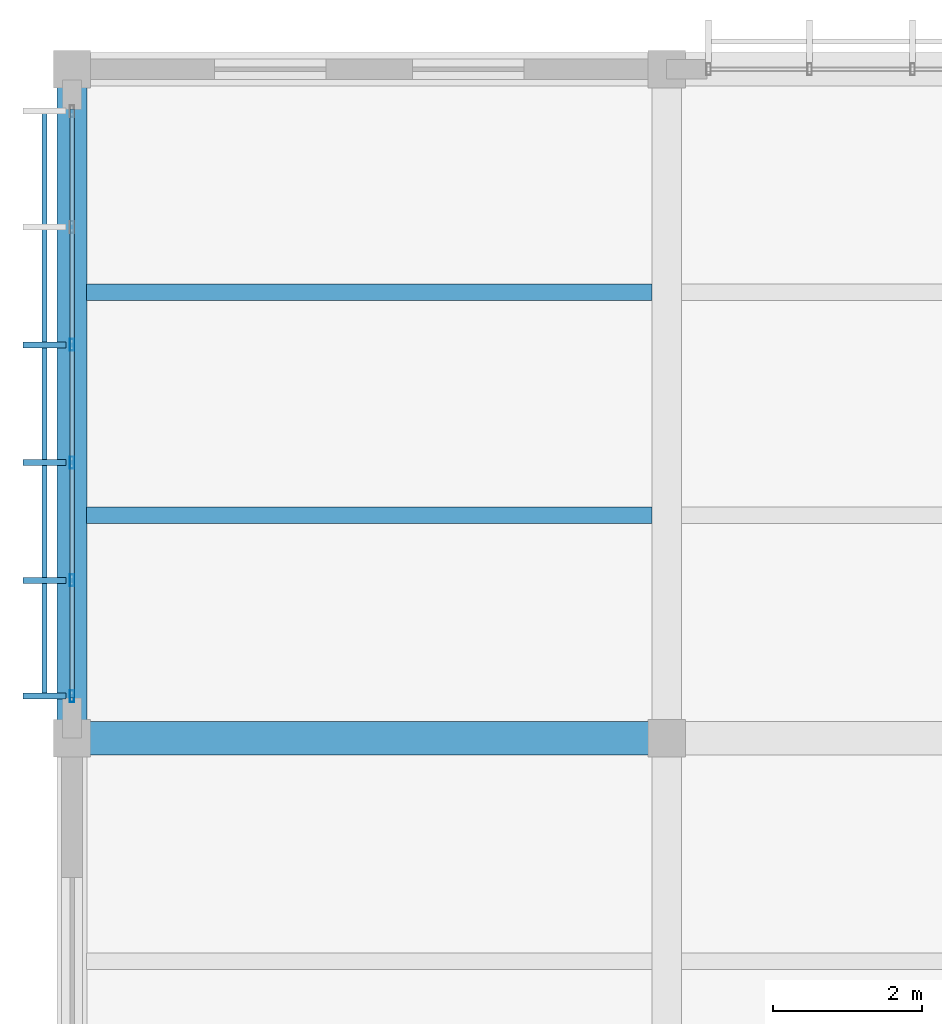
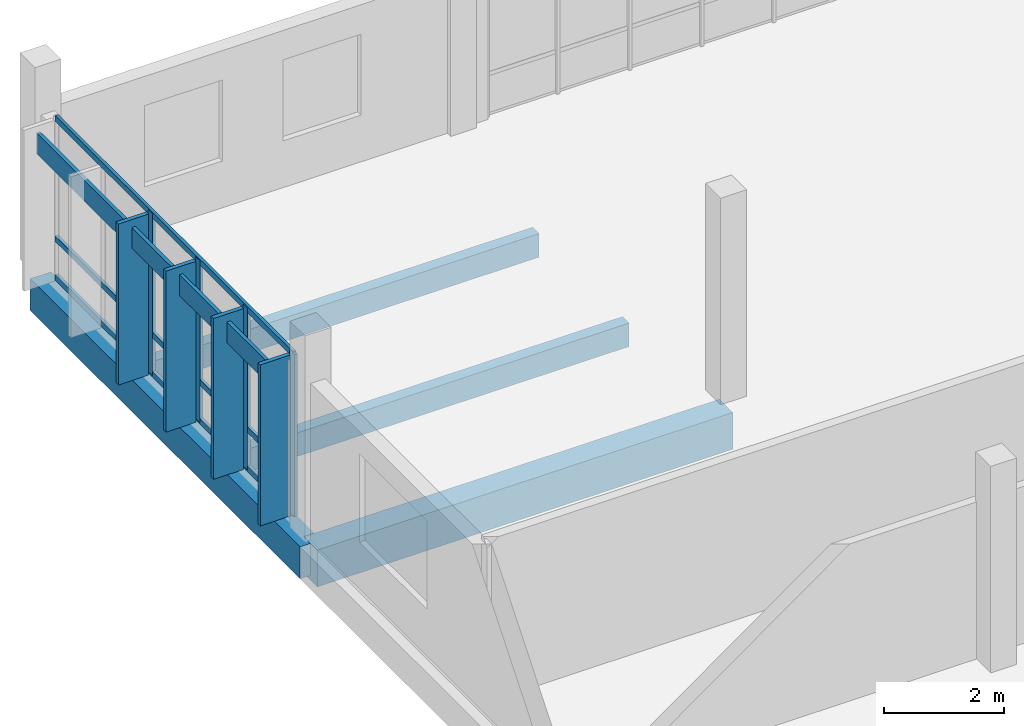
# One storey, part 37 of 107: 12 members, 4 beams, 1 element without a shape of its own.
"""IFC4 building model written with IfcOpenShell, lengths in metres."""

import ifcopenshell
import ifcopenshell.guid

model = None  # the IFC model being written
_history = None  # IfcOwnerHistory: only IFC2X3 demands one
_inside = {}  # id of a spatial element -> (the spatial element, [elements in it])
_under = {}  # id of a project, library or spatial element -> (it, [spatial elements below it])
_declared = {}  # id of a project -> (the project, [libraries it declares])
_typed = {}  # id of a type object -> (the type object, [elements of that type])
_made_of = {}  # id of a material, layer set ... -> (it, [elements and type objects made of it])


def new_model(schema):
    """Start an empty IFC model of exactly this schema.

    Asked for "IFC4X3", IfcOpenShell would pick the latest addendum, in which some entities
    have other attributes; the version numbers below select the first issue.
    IFC2X3 requires an IfcOwnerHistory on every rooted entity: one is made here for all.
    """
    global model, _history
    if schema == "IFC4X3":
        model = ifcopenshell.file(schema_version=(4, 3, 0, 0))
    else:
        model = ifcopenshell.file(schema=schema)
    _inside.clear()
    _under.clear()
    _declared.clear()
    _typed.clear()
    _made_of.clear()
    _history = None
    if model.schema == "IFC2X3":
        org = make("IfcOrganization", Name="unknown")
        user = make(
            "IfcPersonAndOrganization",
            ThePerson=make("IfcPerson", FamilyName="unknown"),
            TheOrganization=org,
        )
        app = make(
            "IfcApplication",
            ApplicationDeveloper=org,
            Version="unknown",
            ApplicationFullName="unknown",
            ApplicationIdentifier="unknown",
        )
        _history = make(
            "IfcOwnerHistory",
            OwningUser=user,
            OwningApplication=app,
            ChangeAction="ADDED",
            CreationDate=0,
        )
    return model


def make(cls, **values):
    """One entity of the class cls with the attributes given. An attribute that is None is left unset."""
    return model.create_entity(
        cls, **{name: value for name, value in values.items() if value is not None}
    )


def rooted(cls, **values):
    """An entity with a GlobalId (a new one), such as an element, a storey or a relation."""
    return make(cls, GlobalId=ifcopenshell.guid.new(), OwnerHistory=_history, **values)


def si_unit(unit_type, name, prefix=None):
    """IfcSIUnit, for example si_unit("LENGTHUNIT", "METRE", prefix="MILLI")."""
    return make("IfcSIUnit", UnitType=unit_type, Prefix=prefix, Name=name)


def assignment(units):
    """IfcUnitAssignment: the units of a project."""
    return None if units is None else make("IfcUnitAssignment", Units=units)


def point(xyz):
    """IfcCartesianPoint."""
    return None if xyz is None else make("IfcCartesianPoint", Coordinates=xyz)


def direction(xyz):
    """IfcDirection."""
    return None if xyz is None else make("IfcDirection", DirectionRatios=xyz)


def frame(location, z_axis=None, x_axis=None):
    """IfcAxis2Placement3D, a coordinate frame: its origin and axes. An axis left out is left unset."""
    return make(
        "IfcAxis2Placement3D",
        Location=point(location),
        Axis=direction(z_axis),
        RefDirection=direction(x_axis),
    )


def frame_2d(location, x_axis=None):
    """IfcAxis2Placement2D, a coordinate frame in the plane: its origin and x axis."""
    return make(
        "IfcAxis2Placement2D", Location=point(location), RefDirection=direction(x_axis)
    )


def origin():
    """The frame at (0, 0, 0) with its axes left unset."""
    return frame((0.0, 0.0, 0.0))


def origin_2d():
    """The frame at (0, 0) in the plane with its x axis left unset."""
    return frame_2d((0.0, 0.0))


def place(relative_to, where):
    """IfcLocalPlacement: puts the frame where relative to a parent placement (None: the world)."""
    return make(
        "IfcLocalPlacement", PlacementRelTo=relative_to, RelativePlacement=where
    )


def context(
    kind, dimensions, precision=None, world=None, true_north=None, identifier=None
):
    """IfcGeometricRepresentationContext, for example the 3D "Model" context."""
    return make(
        "IfcGeometricRepresentationContext",
        ContextIdentifier=identifier,
        ContextType=kind,
        CoordinateSpaceDimension=dimensions,
        Precision=precision,
        WorldCoordinateSystem=world,
        TrueNorth=true_north,
    )


def subcontext(parent, identifier, kind, view, scale=None):
    """IfcGeometricRepresentationSubContext, for example "Body" below "Model"."""
    return make(
        "IfcGeometricRepresentationSubContext",
        ContextIdentifier=identifier,
        ContextType=kind,
        ParentContext=parent,
        TargetScale=scale,
        TargetView=view,
    )


def project(units=None, contexts=None):
    """IfcProject with its units and contexts."""
    return rooted(
        "IfcProject",
        Name="project",
        RepresentationContexts=contexts,
        UnitsInContext=assignment(units),
    )


def spatial(cls, under=None, at=None, **own):
    """A site, building, storey or space (cls), placed at a placement, below another one or the project."""
    s = rooted(cls, ObjectPlacement=at, **own)
    if under is not None:
        _under.setdefault(under.id(), (under, []))[1].append(s)
    return s


def profile(cls, at=None, kind="AREA", **sizes):
    """A parametric profile (cls). Its sizes go by their IFC names, for example OverallWidth=200.0."""
    return make(cls, ProfileType=kind, Position=at, **sizes)


def rectangle(**sizes):
    """IfcRectangleProfileDef."""
    return profile("IfcRectangleProfileDef", **sizes)


def hollow_rectangle(**sizes):
    """IfcRectangleHollowProfileDef."""
    return profile("IfcRectangleHollowProfileDef", **sizes)


def extrude(swept, where, along, depth):
    """IfcExtrudedAreaSolid: the profile swept, set in the frame where, extruded along a direction by depth."""
    return make(
        "IfcExtrudedAreaSolid",
        SweptArea=swept,
        Position=where,
        ExtrudedDirection=direction(along),
        Depth=depth,
    )


def shape(context_of_items, identifier, shape_type, items):
    """IfcShapeRepresentation: the items that make up one representation, for example the "Body"."""
    return make(
        "IfcShapeRepresentation",
        ContextOfItems=context_of_items,
        RepresentationIdentifier=identifier,
        RepresentationType=shape_type,
        Items=items,
    )


def material(Name=None, Category=None):
    """IfcMaterial."""
    return make("IfcMaterial", Name=Name, Category=Category)


def material_profile(
    of_material, cross_section, Name=None, Category=None, Priority=None
):
    """IfcMaterialProfile: a cross section and its material."""
    return make(
        "IfcMaterialProfile",
        Name=Name,
        Material=of_material,
        Profile=cross_section,
        Priority=Priority,
        Category=Category,
    )


def profile_set(profiles, Name=None, composite=None):
    """IfcMaterialProfileSet."""
    return make(
        "IfcMaterialProfileSet",
        Name=Name,
        MaterialProfiles=profiles,
        CompositeProfile=composite,
    )


def made_of(thing, what):
    """Note that an element or type object is made of a material, layer set ...; save() writes the relation."""
    if what is not None:
        _made_of.setdefault(what.id(), (what, []))[1].append(thing)
    return thing


def type_object(cls, material=None, **own):
    """A type object (cls), such as IfcWallType, which elements share."""
    return made_of(rooted(cls, **own), material)


def element(
    cls,
    number,
    at=None,
    inside=None,
    cuts=None,
    type_object=None,
    material=None,
    context=None,
    identifier="Body",
    shape_type=None,
    held_by="IfcProductDefinitionShape",
    body=None,
    shapes=None,
    **own,
):
    """One element of the class cls, such as IfcWall. Its Tag is "e" and its number.

    at: its placement. inside: the storey or other place that contains it. cuts: it is an
    opening in that element (IfcRelVoidsElement). A single representation is given by context,
    identifier, shape_type and body (its items); several are given by shapes. held_by: the class
    of the entity that holds the representations. save() writes the other relations.
    """
    e = rooted(cls, Tag="e%d" % number, ObjectPlacement=at, **own)
    if body is not None:
        shapes = [shape(context, identifier, shape_type, body)]
    if shapes is not None:
        e.Representation = make(held_by, Representations=shapes)
    if inside is not None:
        _inside.setdefault(inside.id(), (inside, []))[1].append(e)
    if cuts is not None:
        rooted(
            "IfcRelVoidsElement", RelatingBuildingElement=cuts, RelatedOpeningElement=e
        )
    if type_object is not None:
        _typed.setdefault(type_object.id(), (type_object, []))[1].append(e)
    return made_of(e, material)


def aggregate(whole, parts):
    """IfcRelAggregates: a whole, such as a stair, and the parts it consists of."""
    return rooted("IfcRelAggregates", RelatingObject=whole, RelatedObjects=parts)


def save(model, path):
    """Write the relations noted so far, then the file.

    IfcRelAggregates (storeys below a building ...), IfcRelContainedInSpatialStructure (elements
    in a storey), IfcRelDefinesByType, IfcRelAssociatesMaterial and IfcRelDeclares: one each for
    every whole, place, type object, material and project.
    """
    for whole, parts in _under.values():
        aggregate(whole, parts)
    for where, things in _inside.values():
        rooted(
            "IfcRelContainedInSpatialStructure",
            RelatedElements=things,
            RelatingStructure=where,
        )
    for kind, things in _typed.values():
        rooted("IfcRelDefinesByType", RelatedObjects=things, RelatingType=kind)
    for what, things in _made_of.values():
        rooted("IfcRelAssociatesMaterial", RelatedObjects=things, RelatingMaterial=what)
    for by, libraries in _declared.values():
        rooted("IfcRelDeclares", RelatingContext=by, RelatedDefinitions=libraries)
    model.write(path)


model = new_model("IFC4")

# Units and contexts
model_context = context("Model", 3, precision=1e-05, world=origin(), true_north=direction((0.0, 1.0)))
body_context = subcontext(model_context, "Body", "Model", "MODEL_VIEW")
ifc_project = project(units=[si_unit("LENGTHUNIT", "METRE"), si_unit("AREAUNIT", "SQUARE_METRE"), si_unit("VOLUMEUNIT", "CUBIC_METRE"), si_unit("PLANEANGLEUNIT", "RADIAN"), si_unit("MASSUNIT", "GRAM", prefix="KILO")], contexts=[model_context])

# Site, building, storey
site_placement = place(None, origin())
site = spatial("IfcSite", under=ifc_project, at=site_placement, CompositionType="ELEMENT")
building_placement = place(site_placement, origin())
building = spatial("IfcBuilding", under=site, at=building_placement, Name="Chiffa Square Polytechnic", CompositionType="ELEMENT")
storey_placement = place(building_placement, frame((0.0, 0.0, 13.800048828125)))
storey = spatial("IfcBuildingStorey", under=building, at=storey_placement, Name="L03", CompositionType="ELEMENT", Elevation=13.800048828125)

# Beams
ifc_material_1 = material(Name="Concrete C35/45", Category="concrete")
ifc_material_profile_1 = material_profile(ifc_material_1, rectangle(XDim=0.39990234375, YDim=0.64990234375, at=origin_2d()), Name="RC 400x650")
ifc_profile_set_1 = profile_set([ifc_material_profile_1], Name="Concrete C35/45")
beam_type_1 = type_object("IfcBeamType", Name="BM-RC-400X650", PredefinedType="BEAM", material=ifc_profile_set_1)
beam_1_placement = place(storey_placement, frame((0.0, 121.800048828125, -0.5849609375), z_axis=(0.0, 1.0, 0.0), x_axis=(-1.0, 0.0, 0.0)))
element("IfcBeam", 1, at=beam_1_placement, inside=storey, type_object=beam_type_1, Name="Primary floor girder BM-V5-L03-Y-0000-1218", PredefinedType="BEAM", context=body_context, shape_type="SweptSolid", body=[
    extrude(rectangle(XDim=0.39990234375, YDim=0.64990234375, at=origin_2d()), origin(), (0.0, 0.0, 1.0), 9.0),
])
ifc_material_profile_2 = material_profile(ifc_material_1, rectangle(XDim=0.449951171875, YDim=0.75, at=origin_2d()), Name="RC 450x750")
ifc_profile_set_2 = profile_set([ifc_material_profile_2], Name="Concrete C35/45")
beam_type_2 = type_object("IfcBeamType", Name="BM-RC-450X750", PredefinedType="BEAM", material=ifc_profile_set_2)
beam_2_placement = place(storey_placement, frame((0.0, 121.800048828125, -0.635009765625), z_axis=(1.0, 0.0, 0.0), x_axis=(0.0, 1.0, 0.0)))
element("IfcBeam", 2, at=beam_2_placement, inside=storey, type_object=beam_type_2, Name="Primary floor girder BM-V5-L03-X-0000-1218", PredefinedType="BEAM", context=body_context, shape_type="SweptSolid", body=[
    extrude(rectangle(XDim=0.449951171875, YDim=0.75, at=origin_2d()), origin(), (0.0, 0.0, 1.0), 8.0),
])

# Curtain wall, members
ifc_material_2 = material(Name="Aluminium EN AW-6060 T66 and glulam shading", Category="wood")
curtain_wall_type = type_object("IfcCurtainWallType", Name="CW-VERT-540X440", PredefinedType="USERDEFINED", material=ifc_material_2)
curtain_wall_placement = place(storey_placement, origin())
curtain_wall = element("IfcCurtainWall", 3, at=curtain_wall_placement, inside=storey, type_object=curtain_wall_type, Name="Curtain wall CW-V5-L03-239", ObjectType="CURTAIN WALL", PredefinedType="USERDEFINED")
ifc_material_3 = material(Name="Aluminium EN AW-6060 T66", Category="aluminium")
ifc_material_profile_3 = material_profile(ifc_material_3, hollow_rectangle(XDim=0.06005859375, YDim=0.159912109375, WallThickness=0.00390625, at=origin_2d()), Name="ALU 60x160x4")
ifc_profile_set_3 = profile_set([ifc_material_profile_3], Name="Aluminium EN AW-6060 T66")
member_type_1 = type_object("IfcMemberType", Name="CWM-ALU-65X150", PredefinedType="MULLION", material=ifc_profile_set_3)
member_1_placement = place(storey_placement, frame((0.0, 127.092041015625, 0.0), z_axis=(0.0, 0.0, 1.0), x_axis=(1.0, 0.0, 0.0)))
member_1 = element("IfcMember", 4, at=member_1_placement, type_object=member_type_1, Name="Curtain wall mullion CW-V5-L03-239-M02", PredefinedType="MULLION", context=body_context, shape_type="SweptSolid", body=[
    extrude(hollow_rectangle(XDim=0.06005859375, YDim=0.159912109375, WallThickness=0.00390625, at=origin_2d()), origin(), (0.0, 0.0, 1.0), 3.294921875),
])
member_2_placement = place(storey_placement, frame((0.0, 125.508056640625, 0.0), z_axis=(0.0, 0.0, 1.0), x_axis=(1.0, 0.0, 0.0)))
member_2 = element("IfcMember", 5, at=member_2_placement, type_object=member_type_1, Name="Curtain wall mullion CW-V5-L03-239-M03", PredefinedType="MULLION", context=body_context, shape_type="SweptSolid", body=[
    extrude(hollow_rectangle(XDim=0.06005859375, YDim=0.159912109375, WallThickness=0.00390625, at=origin_2d()), origin(), (0.0, 0.0, 1.0), 3.294921875),
])
member_3_placement = place(storey_placement, frame((0.0, 123.924072265625, 0.0), z_axis=(0.0, 0.0, 1.0), x_axis=(1.0, 0.0, 0.0)))
member_3 = element("IfcMember", 6, at=member_3_placement, type_object=member_type_1, Name="Curtain wall mullion CW-V5-L03-239-M04", PredefinedType="MULLION", context=body_context, shape_type="SweptSolid", body=[
    extrude(hollow_rectangle(XDim=0.06005859375, YDim=0.159912109375, WallThickness=0.00390625, at=origin_2d()), origin(), (0.0, 0.0, 1.0), 3.294921875),
])
member_4_placement = place(storey_placement, frame((0.0, 122.364990234375, 0.0), z_axis=(0.0, 0.0, 1.0), x_axis=(1.0, 0.0, 0.0)))
member_4 = element("IfcMember", 7, at=member_4_placement, type_object=member_type_1, Name="Curtain wall mullion CW-V5-L03-239-M05", PredefinedType="MULLION", context=body_context, shape_type="SweptSolid", body=[
    extrude(hollow_rectangle(XDim=0.06005859375, YDim=0.159912109375, WallThickness=0.00390625, at=origin_2d()), origin(), (0.0, 0.0, 1.0), 3.294921875),
])
ifc_material_4 = material(Name="Glulam GL28h", Category="wood")
ifc_material_profile_4 = material_profile(ifc_material_4, rectangle(XDim=0.080078125, YDim=0.580078125, at=origin_2d()), Name="GL28h 80x580")
ifc_profile_set_4 = profile_set([ifc_material_profile_4], Name="Glulam GL28h")
member_type_2 = type_object("IfcMemberType", Name="CWM-GL-80X580", PredefinedType="MULLION", material=ifc_profile_set_4)
member_5_placement = place(storey_placement, frame((-0.3720703125, 127.092041015625, 0.010009765625), z_axis=(0.0, 0.0, 1.0), x_axis=(0.0, -1.0, 0.0)))
member_5 = element("IfcMember", 8, at=member_5_placement, type_object=member_type_2, Name="Exterior glulam solar fin CW-V5-L03-239-FN02", PredefinedType="MULLION", context=body_context, shape_type="SweptSolid", body=[
    extrude(rectangle(XDim=0.080078125, YDim=0.580078125, at=origin_2d()), origin(), (0.0, 0.0, 1.0), 3.27490234375),
])
member_6_placement = place(storey_placement, frame((-0.3720703125, 125.508056640625, 0.010009765625), z_axis=(0.0, 0.0, 1.0), x_axis=(0.0, -1.0, 0.0)))
member_6 = element("IfcMember", 9, at=member_6_placement, type_object=member_type_2, Name="Exterior glulam solar fin CW-V5-L03-239-FN03", PredefinedType="MULLION", context=body_context, shape_type="SweptSolid", body=[
    extrude(rectangle(XDim=0.080078125, YDim=0.580078125, at=origin_2d()), origin(), (0.0, 0.0, 1.0), 3.27490234375),
])
member_7_placement = place(storey_placement, frame((-0.3720703125, 123.924072265625, 0.010009765625), z_axis=(0.0, 0.0, 1.0), x_axis=(0.0, -1.0, 0.0)))
member_7 = element("IfcMember", 10, at=member_7_placement, type_object=member_type_2, Name="Exterior glulam solar fin CW-V5-L03-239-FN04", PredefinedType="MULLION", context=body_context, shape_type="SweptSolid", body=[
    extrude(rectangle(XDim=0.080078125, YDim=0.580078125, at=origin_2d()), origin(), (0.0, 0.0, 1.0), 3.27490234375),
])
member_8_placement = place(storey_placement, frame((-0.3720703125, 122.364990234375, 0.010009765625), z_axis=(0.0, 0.0, 1.0), x_axis=(0.0, -1.0, 0.0)))
member_8 = element("IfcMember", 11, at=member_8_placement, type_object=member_type_2, Name="Exterior glulam solar fin CW-V5-L03-239-FN05", PredefinedType="MULLION", context=body_context, shape_type="SweptSolid", body=[
    extrude(rectangle(XDim=0.080078125, YDim=0.580078125, at=origin_2d()), origin(), (0.0, 0.0, 1.0), 3.27490234375),
])
ifc_material_profile_5 = material_profile(ifc_material_3, hollow_rectangle(XDim=0.06005859375, YDim=0.1201171875, WallThickness=0.00390625, at=origin_2d()), Name="ALU 60x120x4")
ifc_profile_set_5 = profile_set([ifc_material_profile_5], Name="Aluminium EN AW-6060 T66")
member_type_3 = type_object("IfcMemberType", Name="CWT-ALU-65X120", PredefinedType="USERDEFINED", material=ifc_profile_set_5)
member_9_placement = place(storey_placement, frame((0.0, 130.261962890625, 0.030029296875), z_axis=(0.0, -1.0, 0.0), x_axis=(1.0, 0.0, 0.0)))
member_9 = element("IfcMember", 12, at=member_9_placement, type_object=member_type_3, Name="Curtain wall transom CW-V5-L03-239-T01", ObjectType="TRANSOM", PredefinedType="USERDEFINED", context=body_context, shape_type="SweptSolid", body=[
    extrude(hollow_rectangle(XDim=0.06005859375, YDim=0.1201171875, WallThickness=0.00390625, at=origin_2d()), origin(), (0.0, 0.0, 1.0), 7.924072265625),
])
member_10_placement = place(storey_placement, frame((0.0, 130.261962890625, 0.820068359375), z_axis=(0.0, -1.0, 0.0), x_axis=(1.0, 0.0, 0.0)))
member_10 = element("IfcMember", 13, at=member_10_placement, type_object=member_type_3, Name="Curtain wall transom CW-V5-L03-239-T02", ObjectType="TRANSOM", PredefinedType="USERDEFINED", context=body_context, shape_type="SweptSolid", body=[
    extrude(hollow_rectangle(XDim=0.06005859375, YDim=0.1201171875, WallThickness=0.00390625, at=origin_2d()), origin(), (0.0, 0.0, 1.0), 7.924072265625),
])
member_11_placement = place(storey_placement, frame((0.0, 130.261962890625, 3.264892578125), z_axis=(0.0, -1.0, 0.0), x_axis=(1.0, 0.0, 0.0)))
member_11 = element("IfcMember", 14, at=member_11_placement, type_object=member_type_3, Name="Curtain wall transom CW-V5-L03-239-T03", ObjectType="TRANSOM", PredefinedType="USERDEFINED", context=body_context, shape_type="SweptSolid", body=[
    extrude(hollow_rectangle(XDim=0.06005859375, YDim=0.1201171875, WallThickness=0.00390625, at=origin_2d()), origin(), (0.0, 0.0, 1.0), 7.924072265625),
])
ifc_material_profile_6 = material_profile(ifc_material_4, rectangle(XDim=0.070068359375, YDim=0.419921875, at=origin_2d()), Name="GL28h 70x420")
ifc_profile_set_6 = profile_set([ifc_material_profile_6], Name="Glulam GL28h")
member_type_4 = type_object("IfcMemberType", Name="CWT-GL-70X420", PredefinedType="USERDEFINED", material=ifc_profile_set_6)
member_12_placement = place(storey_placement, frame((-0.3720703125, 130.235107421875, 2.9150390625), z_axis=(0.0, -1.0, 0.0), x_axis=(1.0, 0.0, 0.0)))
member_12 = element("IfcMember", 15, at=member_12_placement, type_object=member_type_4, Name="Exterior glulam brise-soleil CW-V5-L03-239-BS01", ObjectType="TRANSOM", PredefinedType="USERDEFINED", context=body_context, shape_type="SweptSolid", body=[
    extrude(rectangle(XDim=0.070068359375, YDim=0.419921875, at=origin_2d()), origin(), (0.0, 0.0, 1.0), 7.8701171875),
])
aggregate(curtain_wall, [member_1, member_5, member_2, member_6, member_3, member_7, member_4, member_8, member_9, member_10, member_11, member_12])

# Beams
ifc_material_profile_7 = material_profile(ifc_material_4, rectangle(XDim=0.219970703125, YDim=0.47998046875, at=origin_2d()), Name="GL28h 220x480")
ifc_profile_set_7 = profile_set([ifc_material_profile_7], Name="Glulam GL28h")
beam_type_3 = type_object("IfcBeamType", Name="JST-GL-220X480", PredefinedType="JOIST", material=ifc_profile_set_7)
for number, where, z_axis, x_axis, name in (
    (16, (0.197998046875, 124.800048828125, -0.5), (1.0, 0.0, 0.0), (0.0, 1.0, 0.0), "Secondary floor joist JST-V5-L03-0000-1248"),
    (17, (0.197998046875, 127.800048828125, -0.5), (1.0, 0.0, 0.0), (0.0, 1.0, 0.0), "Secondary floor joist JST-V5-L03-0000-1278"),
):
    element("IfcBeam", number, at=place(storey_placement, frame(where, z_axis=z_axis, x_axis=x_axis)), inside=storey, type_object=beam_type_3, Name=name, PredefinedType="JOIST", context=body_context, shape_type="SweptSolid", body=[
        extrude(rectangle(XDim=0.219970703125, YDim=0.47998046875, at=origin_2d()), origin(), (0.0, 0.0, 1.0), 7.60400390625),
    ])

save(model, "model.ifc")
